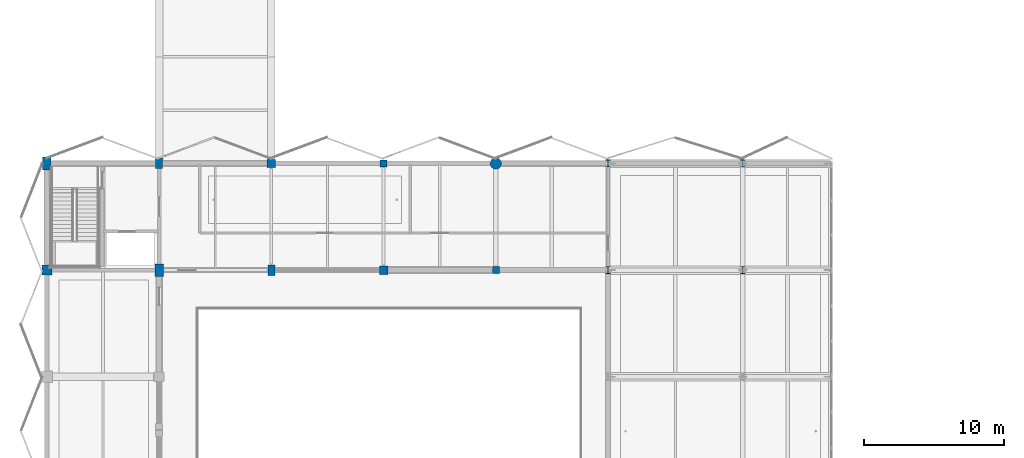
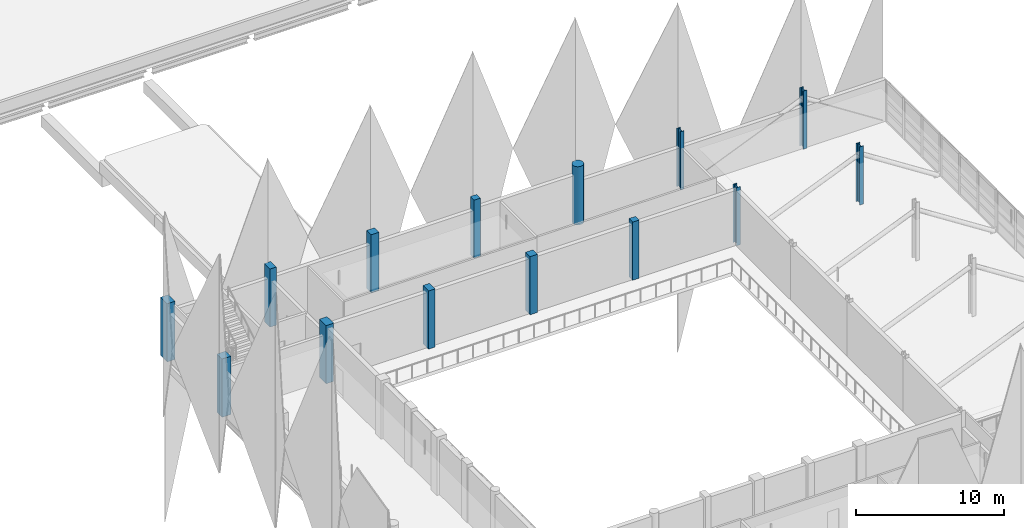
# One storey, part 3 of 107: 14 columns.
"""IFC4 building model written with IfcOpenShell, lengths in metres."""

from ifc_helpers import new_model, si_unit, direction, frame, origin, origin_2d, place, context, subcontext, project, spatial, rectangle, circle, i_section, extrude, material, material_profile, profile_set, type_object, element, save


model = new_model("IFC4")

# Units and contexts
model_context = context("Model", 3, precision=1e-05, world=origin(), true_north=direction((0.0, 1.0)))
body_context = subcontext(model_context, "Body", "Model", "MODEL_VIEW")
ifc_project = project(units=[si_unit("LENGTHUNIT", "METRE"), si_unit("AREAUNIT", "SQUARE_METRE"), si_unit("VOLUMEUNIT", "CUBIC_METRE"), si_unit("PLANEANGLEUNIT", "RADIAN"), si_unit("MASSUNIT", "GRAM", prefix="KILO")], contexts=[model_context])

# Site, building, storey
site_placement = place(None, origin())
site = spatial("IfcSite", under=ifc_project, at=site_placement, CompositionType="ELEMENT")
building_placement = place(site_placement, origin())
building = spatial("IfcBuilding", under=site, at=building_placement, Name="Khelvaren Railside Concert Hall", CompositionType="ELEMENT")
storey_placement = place(building_placement, frame((0.0, 0.0, 15.0)))
storey = spatial("IfcBuildingStorey", under=building, at=storey_placement, Name="L03", CompositionType="ELEMENT", Elevation=15.0)

# Columns
ifc_material_1 = material(Name="Concrete C45/55", Category="concrete")
ifc_material_profile_1 = material_profile(ifc_material_1, rectangle(XDim=0.60009765625, YDim=0.60009765625, at=origin_2d()), Name="RC 600x600")
ifc_profile_set_1 = profile_set([ifc_material_profile_1], Name="Concrete C45/55")
column_type_1 = type_object("IfcColumnType", Name="COL11", PredefinedType="COLUMN", material=ifc_profile_set_1)
column_1_placement = place(storey_placement, frame((16.0, 45.60009765625, 0.0), z_axis=(0.0, 0.0, 1.0), x_axis=(1.0, 0.0, 0.0)))
element("IfcColumn", 1, at=column_1_placement, inside=storey, type_object=column_type_1, Name="V1 L03 Column (16.0,45.6)", PredefinedType="COLUMN", context=body_context, shape_type="SweptSolid", body=[
    extrude(rectangle(XDim=0.60009765625, YDim=0.60009765625, at=origin_2d()), origin(), (0.0, 0.0, 1.0), 4.800048828125),
])
ifc_material_2 = material(Name="Steel S355", Category="steel")
ifc_material_profile_2 = material_profile(ifc_material_2, i_section(OverallWidth=0.300048828125, OverallDepth=0.5, WebThickness=0.014404296875, FlangeThickness=0.028076171875, FilletRadius=0.027099609375, at=origin_2d()), Name="HEB 500")
ifc_profile_set_2 = profile_set([ifc_material_profile_2], Name="Steel S355")
column_type_2 = type_object("IfcColumnType", Name="COL15", PredefinedType="COLUMN", material=ifc_profile_set_2)
for number, where, z_axis, x_axis, name in (
    (2, (40.0, 45.60009765625, 0.0), (0.0, 0.0, 1.0), (1.0, 0.0, 0.0), "V1 L03 Column (40.0,45.6)"),
    (3, (49.60009765625, 45.60009765625, 0.0), (0.0, 0.0, 1.0), (1.0, 0.0, 0.0), "V1 L03 Column (49.6,45.6)"),
):
    element("IfcColumn", number, at=place(storey_placement, frame(where, z_axis=z_axis, x_axis=x_axis)), inside=storey, type_object=column_type_2, Name=name, PredefinedType="COLUMN", context=body_context, shape_type="SweptSolid", body=[
        extrude(i_section(OverallWidth=0.300048828125, OverallDepth=0.5, WebThickness=0.014404296875, FlangeThickness=0.028076171875, FilletRadius=0.027099609375, at=origin_2d()), origin(), (0.0, 0.0, 1.0), 4.800048828125),
    ])
ifc_material_profile_3 = material_profile(ifc_material_1, rectangle(XDim=0.699951171875, YDim=0.699951171875, at=origin_2d()), Name="RC 700x700")
ifc_profile_set_3 = profile_set([ifc_material_profile_3], Name="Concrete C45/55")
column_type_3 = type_object("IfcColumnType", Name="COL16", PredefinedType="COLUMN", material=ifc_profile_set_3)
column_2_placement = place(storey_placement, frame((0.0, 38.0, 0.0), z_axis=(0.0, 0.0, 1.0), x_axis=(1.0, 0.0, 0.0)))
element("IfcColumn", 4, at=column_2_placement, inside=storey, type_object=column_type_3, Name="V1 L03 Column (0.0,38.0)", PredefinedType="COLUMN", context=body_context, shape_type="SweptSolid", body=[
    extrude(rectangle(XDim=0.699951171875, YDim=0.699951171875, at=origin_2d()), origin(), (0.0, 0.0, 1.0), 4.800048828125),
])
ifc_material_profile_4 = material_profile(ifc_material_1, circle(Radius=0.39990234375, at=origin_2d()), Name="RC D800")
ifc_profile_set_4 = profile_set([ifc_material_profile_4], Name="Concrete C45/55")
column_type_4 = type_object("IfcColumnType", Name="COL22", PredefinedType="COLUMN", material=ifc_profile_set_4)
column_3_placement = place(storey_placement, frame((32.0, 45.60009765625, 0.0), z_axis=(0.0, 0.0, 1.0), x_axis=(1.0, 0.0, 0.0)))
element("IfcColumn", 5, at=column_3_placement, inside=storey, type_object=column_type_4, Name="V1 L03 Column (32.0,45.6)", PredefinedType="COLUMN", context=body_context, shape_type="SweptSolid", body=[
    extrude(circle(Radius=0.39990234375, at=origin_2d()), origin(), (0.0, 0.0, 1.0), 4.800048828125),
])
ifc_material_profile_5 = material_profile(ifc_material_2, i_section(OverallWidth=0.300048828125, OverallDepth=0.5, WebThickness=0.014404296875, FlangeThickness=0.028076171875, FilletRadius=0.027099609375, at=origin_2d()), Name="HEB 500")
ifc_profile_set_5 = profile_set([ifc_material_profile_5], Name="Steel S355")
column_type_5 = type_object("IfcColumnType", Name="COL25", PredefinedType="COLUMN", material=ifc_profile_set_5)
for number, where, z_axis, x_axis, name in (
    (6, (40.0, 38.0, 0.0), (0.0, 0.0, 1.0), (1.0, 0.0, 0.0), "V1 L03 Column (40.0,38.0)"),
    (7, (49.60009765625, 38.0, 0.0), (0.0, 0.0, 1.0), (1.0, 0.0, 0.0), "V1 L03 Column (49.6,38.0)"),
):
    element("IfcColumn", number, at=place(storey_placement, frame(where, z_axis=z_axis, x_axis=x_axis)), inside=storey, type_object=column_type_5, Name=name, PredefinedType="COLUMN", context=body_context, shape_type="SweptSolid", body=[
        extrude(i_section(OverallWidth=0.300048828125, OverallDepth=0.5, WebThickness=0.014404296875, FlangeThickness=0.028076171875, FilletRadius=0.027099609375, at=origin_2d()), origin(), (0.0, 0.0, 1.0), 4.800048828125),
    ])
ifc_material_profile_6 = material_profile(ifc_material_1, rectangle(XDim=0.60009765625, YDim=0.60009765625, at=origin_2d()), Name="RC 600x600")
ifc_profile_set_6 = profile_set([ifc_material_profile_6], Name="Concrete C45/55")
column_type_6 = type_object("IfcColumnType", Name="COL29", PredefinedType="COLUMN", material=ifc_profile_set_6)
column_4_placement = place(storey_placement, frame((24.0, 38.0, 0.0), z_axis=(0.0, 0.0, 1.0), x_axis=(1.0, 0.0, 0.0)))
element("IfcColumn", 8, at=column_4_placement, inside=storey, type_object=column_type_6, Name="V1 L03 Column (24.0,38.0)", PredefinedType="COLUMN", context=body_context, shape_type="SweptSolid", body=[
    extrude(rectangle(XDim=0.60009765625, YDim=0.60009765625, at=origin_2d()), origin(), (0.0, 0.0, 1.0), 4.800048828125),
])
ifc_material_profile_7 = material_profile(ifc_material_1, rectangle(XDim=0.60009765625, YDim=0.89990234375, at=origin_2d()), Name="RC 600x900")
ifc_profile_set_7 = profile_set([ifc_material_profile_7], Name="Concrete C45/55")
column_type_7 = type_object("IfcColumnType", Name="COL33", PredefinedType="COLUMN", material=ifc_profile_set_7)
column_5_placement = place(storey_placement, frame((8.0, 38.0, 0.0), z_axis=(0.0, 0.0, 1.0), x_axis=(1.0, 0.0, 0.0)))
element("IfcColumn", 9, at=column_5_placement, inside=storey, type_object=column_type_7, Name="V1 L03 Column (8.0,38.0)", PredefinedType="COLUMN", context=body_context, shape_type="SweptSolid", body=[
    extrude(rectangle(XDim=0.60009765625, YDim=0.89990234375, at=origin_2d()), origin(), (0.0, 0.0, 1.0), 4.800048828125),
])
ifc_material_profile_8 = material_profile(ifc_material_1, rectangle(XDim=0.5, YDim=0.5, at=origin_2d()), Name="RC 500x500")
ifc_profile_set_8 = profile_set([ifc_material_profile_8], Name="Concrete C45/55")
column_type_8 = type_object("IfcColumnType", Name="COL35", PredefinedType="COLUMN", material=ifc_profile_set_8)
column_6_placement = place(storey_placement, frame((24.0, 45.60009765625, 0.0), z_axis=(0.0, 0.0, 1.0), x_axis=(1.0, 0.0, 0.0)))
element("IfcColumn", 10, at=column_6_placement, inside=storey, type_object=column_type_8, Name="V1 L03 Column (24.0,45.6)", PredefinedType="COLUMN", context=body_context, shape_type="SweptSolid", body=[
    extrude(rectangle(XDim=0.5, YDim=0.5, at=origin_2d()), origin(), (0.0, 0.0, 1.0), 4.800048828125),
])
ifc_material_profile_9 = material_profile(ifc_material_1, rectangle(XDim=0.5, YDim=0.75, at=origin_2d()), Name="RC 500x750")
ifc_profile_set_9 = profile_set([ifc_material_profile_9], Name="Concrete C45/55")
column_type_9 = type_object("IfcColumnType", Name="COL36", PredefinedType="COLUMN", material=ifc_profile_set_9)
column_7_placement = place(storey_placement, frame((16.0, 38.0, 0.0), z_axis=(0.0, 0.0, 1.0), x_axis=(1.0, 0.0, 0.0)))
element("IfcColumn", 11, at=column_7_placement, inside=storey, type_object=column_type_9, Name="V1 L03 Column (16.0,38.0)", PredefinedType="COLUMN", context=body_context, shape_type="SweptSolid", body=[
    extrude(rectangle(XDim=0.5, YDim=0.75, at=origin_2d()), origin(), (0.0, 0.0, 1.0), 4.800048828125),
])
ifc_material_profile_10 = material_profile(ifc_material_1, rectangle(XDim=0.5, YDim=0.5, at=origin_2d()), Name="RC 500x500")
ifc_profile_set_10 = profile_set([ifc_material_profile_10], Name="Concrete C45/55")
column_type_10 = type_object("IfcColumnType", Name="COL84", PredefinedType="COLUMN", material=ifc_profile_set_10)
column_8_placement = place(storey_placement, frame((32.0, 38.0, 0.0), z_axis=(0.0, 0.0, 1.0), x_axis=(1.0, 0.0, 0.0)))
element("IfcColumn", 12, at=column_8_placement, inside=storey, type_object=column_type_10, Name="V1 L03 Column (32.0,38.0)", PredefinedType="COLUMN", context=body_context, shape_type="SweptSolid", body=[
    extrude(rectangle(XDim=0.5, YDim=0.5, at=origin_2d()), origin(), (0.0, 0.0, 1.0), 4.800048828125),
])
ifc_material_profile_11 = material_profile(ifc_material_1, rectangle(XDim=0.60009765625, YDim=0.89990234375, at=origin_2d()), Name="RC 600x900")
ifc_profile_set_11 = profile_set([ifc_material_profile_11], Name="Concrete C45/55")
column_type_11 = type_object("IfcColumnType", Name="COL95", PredefinedType="COLUMN", material=ifc_profile_set_11)
column_9_placement = place(storey_placement, frame((0.0, 45.60009765625, 0.0), z_axis=(0.0, 0.0, 1.0), x_axis=(1.0, 0.0, 0.0)))
element("IfcColumn", 13, at=column_9_placement, inside=storey, type_object=column_type_11, Name="V1 L03 Column (0.0,45.6)", PredefinedType="COLUMN", context=body_context, shape_type="SweptSolid", body=[
    extrude(rectangle(XDim=0.60009765625, YDim=0.89990234375, at=origin_2d()), origin(), (0.0, 0.0, 1.0), 4.800048828125),
])
ifc_material_profile_12 = material_profile(ifc_material_1, rectangle(XDim=0.5, YDim=0.75, at=origin_2d()), Name="RC 500x750")
ifc_profile_set_12 = profile_set([ifc_material_profile_12], Name="Concrete C45/55")
column_type_12 = type_object("IfcColumnType", Name="COL97", PredefinedType="COLUMN", material=ifc_profile_set_12)
column_10_placement = place(storey_placement, frame((8.0, 45.60009765625, 0.0), z_axis=(0.0, 0.0, 1.0), x_axis=(1.0, 0.0, 0.0)))
element("IfcColumn", 14, at=column_10_placement, inside=storey, type_object=column_type_12, Name="V1 L03 Column (8.0,45.6)", PredefinedType="COLUMN", context=body_context, shape_type="SweptSolid", body=[
    extrude(rectangle(XDim=0.5, YDim=0.75, at=origin_2d()), origin(), (0.0, 0.0, 1.0), 4.800048828125),
])

save(model, "model.ifc")
